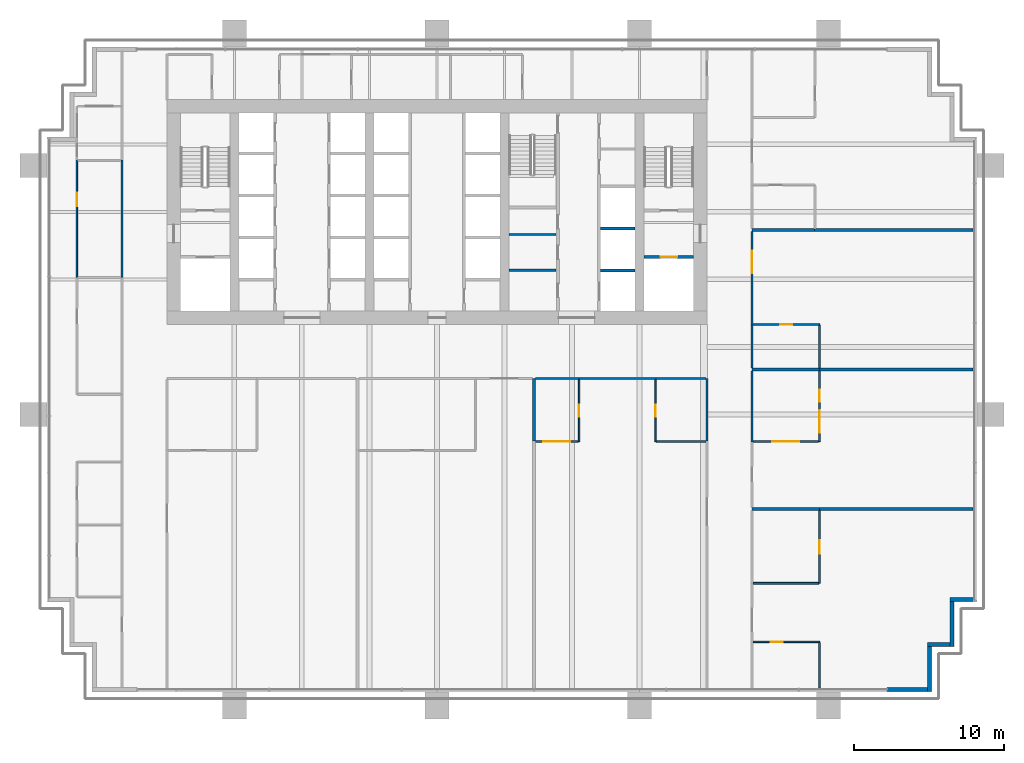
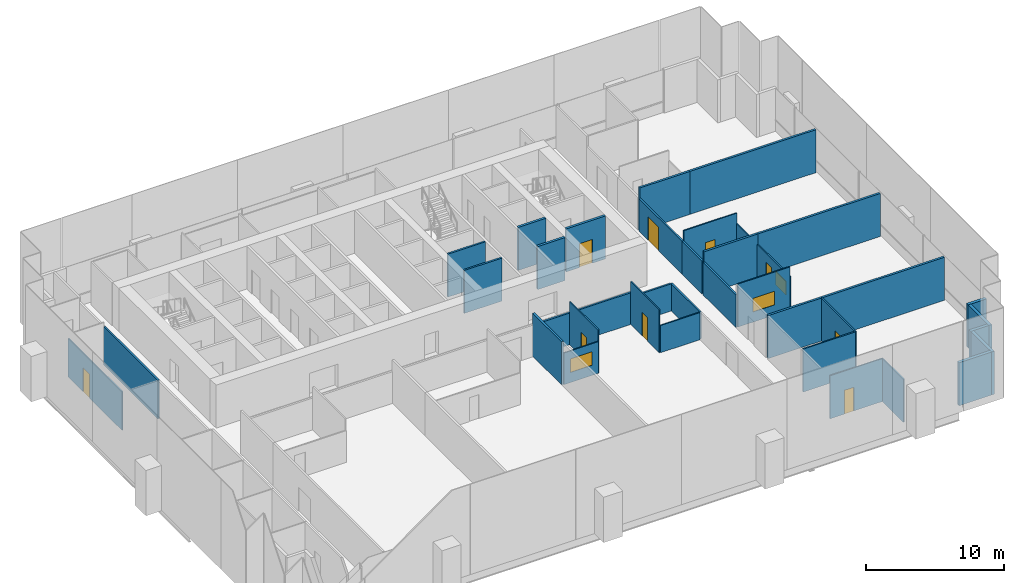
# One storey, part 13 of 19: 38 walls, 9 doors, 3 windows, 12 openings.
"""IFC4 building model written with IfcOpenShell, lengths in metres."""

import ifcopenshell
import ifcopenshell.guid

model = None  # the IFC model being written
_history = None  # IfcOwnerHistory: only IFC2X3 demands one
_inside = {}  # id of a spatial element -> (the spatial element, [elements in it])
_under = {}  # id of a project, library or spatial element -> (it, [spatial elements below it])
_declared = {}  # id of a project -> (the project, [libraries it declares])
_typed = {}  # id of a type object -> (the type object, [elements of that type])
_made_of = {}  # id of a material, layer set ... -> (it, [elements and type objects made of it])


def new_model(schema):
    """Start an empty IFC model of exactly this schema.

    Asked for "IFC4X3", IfcOpenShell would pick the latest addendum, in which some entities
    have other attributes; the version numbers below select the first issue.
    IFC2X3 requires an IfcOwnerHistory on every rooted entity: one is made here for all.
    """
    global model, _history
    if schema == "IFC4X3":
        model = ifcopenshell.file(schema_version=(4, 3, 0, 0))
    else:
        model = ifcopenshell.file(schema=schema)
    _inside.clear()
    _under.clear()
    _declared.clear()
    _typed.clear()
    _made_of.clear()
    _history = None
    if model.schema == "IFC2X3":
        org = make("IfcOrganization", Name="unknown")
        user = make(
            "IfcPersonAndOrganization",
            ThePerson=make("IfcPerson", FamilyName="unknown"),
            TheOrganization=org,
        )
        app = make(
            "IfcApplication",
            ApplicationDeveloper=org,
            Version="unknown",
            ApplicationFullName="unknown",
            ApplicationIdentifier="unknown",
        )
        _history = make(
            "IfcOwnerHistory",
            OwningUser=user,
            OwningApplication=app,
            ChangeAction="ADDED",
            CreationDate=0,
        )
    return model


def make(cls, **values):
    """One entity of the class cls with the attributes given. An attribute that is None is left unset."""
    return model.create_entity(
        cls, **{name: value for name, value in values.items() if value is not None}
    )


def rooted(cls, **values):
    """An entity with a GlobalId (a new one), such as an element, a storey or a relation."""
    return make(cls, GlobalId=ifcopenshell.guid.new(), OwnerHistory=_history, **values)


def si_unit(unit_type, name, prefix=None):
    """IfcSIUnit, for example si_unit("LENGTHUNIT", "METRE", prefix="MILLI")."""
    return make("IfcSIUnit", UnitType=unit_type, Prefix=prefix, Name=name)


def assignment(units):
    """IfcUnitAssignment: the units of a project."""
    return None if units is None else make("IfcUnitAssignment", Units=units)


def point(xyz):
    """IfcCartesianPoint."""
    return None if xyz is None else make("IfcCartesianPoint", Coordinates=xyz)


def direction(xyz):
    """IfcDirection."""
    return None if xyz is None else make("IfcDirection", DirectionRatios=xyz)


def frame(location, z_axis=None, x_axis=None):
    """IfcAxis2Placement3D, a coordinate frame: its origin and axes. An axis left out is left unset."""
    return make(
        "IfcAxis2Placement3D",
        Location=point(location),
        Axis=direction(z_axis),
        RefDirection=direction(x_axis),
    )


def frame_2d(location, x_axis=None):
    """IfcAxis2Placement2D, a coordinate frame in the plane: its origin and x axis."""
    return make(
        "IfcAxis2Placement2D", Location=point(location), RefDirection=direction(x_axis)
    )


def origin():
    """The frame at (0, 0, 0) with its axes left unset."""
    return frame((0.0, 0.0, 0.0))


def place(relative_to, where):
    """IfcLocalPlacement: puts the frame where relative to a parent placement (None: the world)."""
    return make(
        "IfcLocalPlacement", PlacementRelTo=relative_to, RelativePlacement=where
    )


def context(
    kind, dimensions, precision=None, world=None, true_north=None, identifier=None
):
    """IfcGeometricRepresentationContext, for example the 3D "Model" context."""
    return make(
        "IfcGeometricRepresentationContext",
        ContextIdentifier=identifier,
        ContextType=kind,
        CoordinateSpaceDimension=dimensions,
        Precision=precision,
        WorldCoordinateSystem=world,
        TrueNorth=true_north,
    )


def subcontext(parent, identifier, kind, view, scale=None):
    """IfcGeometricRepresentationSubContext, for example "Body" below "Model"."""
    return make(
        "IfcGeometricRepresentationSubContext",
        ContextIdentifier=identifier,
        ContextType=kind,
        ParentContext=parent,
        TargetScale=scale,
        TargetView=view,
    )


def project(units=None, contexts=None):
    """IfcProject with its units and contexts."""
    return rooted(
        "IfcProject",
        Name="project",
        RepresentationContexts=contexts,
        UnitsInContext=assignment(units),
    )


def spatial(cls, under=None, at=None, **own):
    """A site, building, storey or space (cls), placed at a placement, below another one or the project."""
    s = rooted(cls, ObjectPlacement=at, **own)
    if under is not None:
        _under.setdefault(under.id(), (under, []))[1].append(s)
    return s


def profile(cls, at=None, kind="AREA", **sizes):
    """A parametric profile (cls). Its sizes go by their IFC names, for example OverallWidth=200.0."""
    return make(cls, ProfileType=kind, Position=at, **sizes)


def rectangle(**sizes):
    """IfcRectangleProfileDef."""
    return profile("IfcRectangleProfileDef", **sizes)


def extrude(swept, where, along, depth):
    """IfcExtrudedAreaSolid: the profile swept, set in the frame where, extruded along a direction by depth."""
    return make(
        "IfcExtrudedAreaSolid",
        SweptArea=swept,
        Position=where,
        ExtrudedDirection=direction(along),
        Depth=depth,
    )


def shape(context_of_items, identifier, shape_type, items):
    """IfcShapeRepresentation: the items that make up one representation, for example the "Body"."""
    return make(
        "IfcShapeRepresentation",
        ContextOfItems=context_of_items,
        RepresentationIdentifier=identifier,
        RepresentationType=shape_type,
        Items=items,
    )


def material(Name=None, Category=None):
    """IfcMaterial."""
    return make("IfcMaterial", Name=Name, Category=Category)


def layer(
    of_material, thickness, ventilated=None, Name=None, Category=None, Priority=None
):
    """IfcMaterialLayer: one layer of a wall or slab, of a material (None: an air gap)."""
    return make(
        "IfcMaterialLayer",
        Material=of_material,
        LayerThickness=thickness,
        IsVentilated=ventilated,
        Name=Name,
        Category=Category,
        Priority=Priority,
    )


def layer_set(layers, Name=None):
    """IfcMaterialLayerSet."""
    return make("IfcMaterialLayerSet", MaterialLayers=layers, LayerSetName=Name)


def made_of(thing, what):
    """Note that an element or type object is made of a material, layer set ...; save() writes the relation."""
    if what is not None:
        _made_of.setdefault(what.id(), (what, []))[1].append(thing)
    return thing


def type_object(cls, material=None, **own):
    """A type object (cls), such as IfcWallType, which elements share."""
    return made_of(rooted(cls, **own), material)


def element(
    cls,
    number,
    at=None,
    inside=None,
    cuts=None,
    type_object=None,
    material=None,
    context=None,
    identifier="Body",
    shape_type=None,
    held_by="IfcProductDefinitionShape",
    body=None,
    shapes=None,
    **own,
):
    """One element of the class cls, such as IfcWall. Its Tag is "e" and its number.

    at: its placement. inside: the storey or other place that contains it. cuts: it is an
    opening in that element (IfcRelVoidsElement). A single representation is given by context,
    identifier, shape_type and body (its items); several are given by shapes. held_by: the class
    of the entity that holds the representations. save() writes the other relations.
    """
    e = rooted(cls, Tag="e%d" % number, ObjectPlacement=at, **own)
    if body is not None:
        shapes = [shape(context, identifier, shape_type, body)]
    if shapes is not None:
        e.Representation = make(held_by, Representations=shapes)
    if inside is not None:
        _inside.setdefault(inside.id(), (inside, []))[1].append(e)
    if cuts is not None:
        rooted(
            "IfcRelVoidsElement", RelatingBuildingElement=cuts, RelatedOpeningElement=e
        )
    if type_object is not None:
        _typed.setdefault(type_object.id(), (type_object, []))[1].append(e)
    return made_of(e, material)


def fill(opening, filler):
    """IfcRelFillsElement: the door or window that sits in an opening."""
    return rooted(
        "IfcRelFillsElement",
        RelatingOpeningElement=opening,
        RelatedBuildingElement=filler,
    )


def aggregate(whole, parts):
    """IfcRelAggregates: a whole, such as a stair, and the parts it consists of."""
    return rooted("IfcRelAggregates", RelatingObject=whole, RelatedObjects=parts)


def save(model, path):
    """Write the relations noted so far, then the file.

    IfcRelAggregates (storeys below a building ...), IfcRelContainedInSpatialStructure (elements
    in a storey), IfcRelDefinesByType, IfcRelAssociatesMaterial and IfcRelDeclares: one each for
    every whole, place, type object, material and project.
    """
    for whole, parts in _under.values():
        aggregate(whole, parts)
    for where, things in _inside.values():
        rooted(
            "IfcRelContainedInSpatialStructure",
            RelatedElements=things,
            RelatingStructure=where,
        )
    for kind, things in _typed.values():
        rooted("IfcRelDefinesByType", RelatedObjects=things, RelatingType=kind)
    for what, things in _made_of.values():
        rooted("IfcRelAssociatesMaterial", RelatedObjects=things, RelatingMaterial=what)
    for by, libraries in _declared.values():
        rooted("IfcRelDeclares", RelatingContext=by, RelatedDefinitions=libraries)
    model.write(path)


model = new_model("IFC4")

# Units and contexts
model_context = context("Model", 3, precision=1e-05, world=origin(), true_north=direction((0.0, 1.0)))
body_context = subcontext(model_context, "Body", "Model", "MODEL_VIEW")
ifc_project = project(units=[si_unit("LENGTHUNIT", "METRE"), si_unit("AREAUNIT", "SQUARE_METRE"), si_unit("VOLUMEUNIT", "CUBIC_METRE"), si_unit("PLANEANGLEUNIT", "RADIAN"), si_unit("MASSUNIT", "GRAM", prefix="KILO")], contexts=[model_context])

# Site, building, storey
site_placement = place(None, origin())
site = spatial("IfcSite", under=ifc_project, at=site_placement, CompositionType="ELEMENT")
building_placement = place(site_placement, origin())
building = spatial("IfcBuilding", under=site, at=building_placement, Name="Rattan Terrace Tower", CompositionType="ELEMENT")
storey_placement = place(building_placement, frame((0.0, 0.0, 103.699951171875)))
storey = spatial("IfcBuildingStorey", under=building, at=storey_placement, Name="L23", CompositionType="ELEMENT", Elevation=103.699951171875)

# Walls
ifc_material_1 = material(Name="Gypsum board partition")
ifc_layer_1 = layer(ifc_material_1, 0.14990234375)
ifc_layer_set_1 = layer_set([ifc_layer_1], Name="Core partition 150")
wall_type_1 = type_object("IfcWallType", Name="Core partition 150", PredefinedType="PARTITIONING", material=ifc_layer_set_1)
for number, where, z_axis, x_axis, name in (
    (1, (4.800048828125, -3.8798828125, 0.0), (0.0, 0.0, 1.0), (1.0, 0.0, 0.0), "Toilet wall"),
    (2, (4.800048828125, -1.5, 0.0), (0.0, 0.0, 1.0), (1.0, 0.0, 0.0), "Toilet wall"),
):
    element("IfcWall", number, at=place(storey_placement, frame(where, z_axis=z_axis, x_axis=x_axis)), inside=storey, type_object=wall_type_1, Name=name, PredefinedType="PARTITIONING", context=body_context, shape_type="SweptSolid", body=[
        extrude(rectangle(XDim=3.14990234375, YDim=0.14990234375, at=frame_2d((1.574951171875, 0.0))), origin(), (0.0, 0.0, 1.0), 3.800048828125),
    ])

# Wall, opening, door
ifc_material_2 = material(Name="Gypsum board partition")
ifc_layer_2 = layer(ifc_material_2, 0.199951171875)
ifc_layer_set_2 = layer_set([ifc_layer_2], Name="Core partition 200")
wall_type_2 = type_object("IfcWallType", Name="Core partition 200", PredefinedType="PARTITIONING", material=ifc_layer_set_2)
wall_1_placement = place(storey_placement, frame((13.800048828125, -3.0, 0.0), z_axis=(0.0, 0.0, 1.0), x_axis=(1.0, 0.0, 0.0)))
wall_1 = element("IfcWall", 3, at=wall_1_placement, inside=storey, type_object=wall_type_2, Name="Fire-fighting lobby wall", PredefinedType="PARTITIONING", context=body_context, shape_type="SweptSolid", body=[
    extrude(rectangle(XDim=3.300048828125, YDim=0.199951171875, at=frame_2d((1.64990234375, 0.0))), origin(), (0.0, 0.0, 1.0), 3.800048828125),
])
opening_1_placement = place(wall_1_placement, frame((1.10009765625, 0.0, 0.0)))
opening_1 = element("IfcOpeningElement", 4, at=opening_1_placement, cuts=wall_1, Name="Opening L23-LD-FF2", PredefinedType="OPENING", context=body_context, shape_type="SweptSolid", body=[
    extrude(rectangle(XDim=1.10009765625, YDim=2.10009765625, at=frame_2d((0.550048828125, 1.050048828125))), frame((0.0, 0.110595703125, 0.0), z_axis=(0.0, -1.0, 0.0), x_axis=(1.0, 0.0, 0.0)), (0.0, 0.0, 1.0), 0.220947265625),
])
ifc_material_3 = material(Name="Brushed stainless landing door panel")
door_type_1 = type_object("IfcDoorType", Name="Core lift landing door 1100", OperationType="DOUBLE_DOOR_SLIDING", PredefinedType="DOOR", material=ifc_material_3)
door_1_placement = place(opening_1_placement, origin())
door_1 = element("IfcDoor", 5, at=door_1_placement, inside=storey, type_object=door_type_1, Name="Door L23-LD-FF2", OperationType="DOUBLE_DOOR_SLIDING", OverallHeight=2.10009765625, OverallWidth=1.10009765625, PredefinedType="DOOR", context=body_context, shape_type="SweptSolid", body=[
    extrude(rectangle(XDim=1.10009765625, YDim=2.10009765625, at=frame_2d((0.550048828125, 1.050048828125))), frame((0.0, 0.02490234375, 0.0), z_axis=(0.0, -1.0, 0.0), x_axis=(1.0, 0.0, 0.0)), (0.0, 0.0, 1.0), 0.050048828125),
])
fill(opening_1, door_1)

# Walls
ifc_material_4 = material(Name="Insulated aluminium-clad stud wall", Category="aluminium")
ifc_layer_3 = layer(ifc_material_4, 0.25)
ifc_layer_set_3 = layer_set([ifc_layer_3], Name="Facade Riser Wall 250")
wall_type_3 = type_object("IfcWallType", Name="Facade Riser Wall 250", PredefinedType="SOLIDWALL", material=ifc_layer_set_3)
wall_2_placement = place(storey_placement, frame((30.0, -31.830078125, 0.0), z_axis=(0.0, 0.0, 1.0), x_axis=(1.0, 0.0, 0.0)))
element("IfcWall", 6, at=wall_2_placement, inside=storey, type_object=wall_type_3, Name="Riser wall L23-1", PredefinedType="SOLIDWALL", context=body_context, shape_type="SweptSolid", body=[
    extrude(rectangle(XDim=2.705078125, YDim=0.25, at=frame_2d((1.3525390625, 0.0))), origin(), (0.0, 0.0, 1.0), 3.800048828125),
])
wall_3_placement = place(storey_placement, frame((32.830078125, -31.955078125, 0.0), z_axis=(0.0, 0.0, 1.0), x_axis=(0.0, 1.0, 0.0)))
element("IfcWall", 7, at=wall_3_placement, inside=storey, type_object=wall_type_3, Name="Riser wall L23-2", PredefinedType="SOLIDWALL", context=body_context, shape_type="SweptSolid", body=[
    extrude(rectangle(XDim=3.0, YDim=0.25, at=frame_2d((1.5, 0.0))), origin(), (0.0, 0.0, 1.0), 3.800048828125),
])
wall_4_placement = place(storey_placement, frame((32.705078125, -28.830078125, 0.0), z_axis=(0.0, 0.0, 1.0), x_axis=(1.0, 0.0, 0.0)))
element("IfcWall", 8, at=wall_4_placement, inside=storey, type_object=wall_type_3, Name="Riser wall L23-3", PredefinedType="SOLIDWALL", context=body_context, shape_type="SweptSolid", body=[
    extrude(rectangle(XDim=1.5, YDim=0.25, at=frame_2d((0.75, 0.0))), origin(), (0.0, 0.0, 1.0), 3.800048828125),
])
wall_5_placement = place(storey_placement, frame((34.330078125, -28.955078125, 0.0), z_axis=(0.0, 0.0, 1.0), x_axis=(0.0, 1.0, 0.0)))
element("IfcWall", 9, at=wall_5_placement, inside=storey, type_object=wall_type_3, Name="Riser wall L23-4", PredefinedType="SOLIDWALL", context=body_context, shape_type="SweptSolid", body=[
    extrude(rectangle(XDim=3.0, YDim=0.25, at=frame_2d((1.5, 0.0))), origin(), (0.0, 0.0, 1.0), 3.800048828125),
])
wall_6_placement = place(storey_placement, frame((34.205078125, -25.830078125, 0.0), z_axis=(0.0, 0.0, 1.0), x_axis=(1.0, 0.0, 0.0)))
element("IfcWall", 10, at=wall_6_placement, inside=storey, type_object=wall_type_3, Name="Riser wall L23-5", PredefinedType="SOLIDWALL", context=body_context, shape_type="SweptSolid", body=[
    extrude(rectangle(XDim=1.544921875, YDim=0.25, at=frame_2d((0.7724609375, 0.0))), origin(), (0.0, 0.0, 1.0), 3.800048828125),
])
ifc_material_5 = material(Name="Double steel stud acoustic partition, gypsum board, mineral wool, fire rated", Category="steel")
ifc_layer_4 = layer(ifc_material_5, 0.179931640625)
ifc_layer_set_4 = layer_set([ifc_layer_4], Name="Floors Acoustic Party Wall 180")
wall_type_4 = type_object("IfcWallType", Name="Floors Acoustic Party Wall 180", PredefinedType="PARTITIONING", material=ifc_layer_set_4)
wall_7_placement = place(storey_placement, frame((25.5, -19.800048828125, 0.0), z_axis=(0.0, 0.0, 1.0), x_axis=(1.0, 0.0, 0.0)))
element("IfcWall", 11, at=wall_7_placement, inside=storey, type_object=wall_type_4, Name="pt-L23-048", PredefinedType="PARTITIONING", context=body_context, shape_type="SweptSolid", body=[
    extrude(rectangle(XDim=10.239990234375, YDim=0.179931640625, at=frame_2d((5.1201171875, 0.0))), origin(), (0.0, 0.0, 1.0), 3.800048828125),
])
wall_8_placement = place(storey_placement, frame((21.0, -19.800048828125, 0.0), z_axis=(0.0, 0.0, 1.0), x_axis=(1.0, 0.0, 0.0)))
element("IfcWall", 12, at=wall_8_placement, inside=storey, type_object=wall_type_4, Name="pt-L23-049", PredefinedType="PARTITIONING", context=body_context, shape_type="SweptSolid", body=[
    extrude(rectangle(XDim=4.5, YDim=0.179931640625, at=frame_2d((2.25, 0.0))), origin(), (0.0, 0.0, 1.0), 3.800048828125),
])
wall_9_placement = place(storey_placement, frame((25.5, -10.5, 0.0), z_axis=(0.0, 0.0, 1.0), x_axis=(1.0, 0.0, 0.0)))
element("IfcWall", 13, at=wall_9_placement, inside=storey, type_object=wall_type_4, Name="pt-L23-052", PredefinedType="PARTITIONING", context=body_context, shape_type="SweptSolid", body=[
    extrude(rectangle(XDim=10.239990234375, YDim=0.179931640625, at=frame_2d((5.1201171875, 0.0))), origin(), (0.0, 0.0, 1.0), 3.800048828125),
])
wall_10_placement = place(storey_placement, frame((21.0, -10.5, 0.0), z_axis=(0.0, 0.0, 1.0), x_axis=(1.0, 0.0, 0.0)))
element("IfcWall", 14, at=wall_10_placement, inside=storey, type_object=wall_type_4, Name="pt-L23-053", PredefinedType="PARTITIONING", context=body_context, shape_type="SweptSolid", body=[
    extrude(rectangle(XDim=4.5, YDim=0.179931640625, at=frame_2d((2.25, 0.0))), origin(), (0.0, 0.0, 1.0), 3.800048828125),
])
wall_11_placement = place(storey_placement, frame((25.179931640625, -1.199951171875, 0.0), z_axis=(0.0, 0.0, 1.0), x_axis=(1.0, 0.0, 0.0)))
element("IfcWall", 15, at=wall_11_placement, inside=storey, type_object=wall_type_4, Name="pt-L23-056", PredefinedType="PARTITIONING", context=body_context, shape_type="SweptSolid", body=[
    extrude(rectangle(XDim=10.56005859375, YDim=0.179931640625, at=frame_2d((5.280029296875, 0.0))), origin(), (0.0, 0.0, 1.0), 3.800048828125),
])
for number, where, z_axis, x_axis, name in (
    (16, (21.0, -1.199951171875, 0.0), (0.0, 0.0, 1.0), (1.0, 0.0, 0.0), "pt-L23-057"),
    (17, (6.470947265625, -11.10009765625, 0.0), (0.0, 0.0, 1.0), (0.0, -1.0, 0.0), "pt-L23-078"),
):
    element("IfcWall", number, at=place(storey_placement, frame(where, z_axis=z_axis, x_axis=x_axis)), inside=storey, type_object=wall_type_4, Name=name, PredefinedType="PARTITIONING", context=body_context, shape_type="SweptSolid", body=[
        extrude(rectangle(XDim=4.179931640625, YDim=0.179931640625, at=frame_2d((2.08984375, 0.0))), origin(), (0.0, 0.0, 1.0), 3.800048828125),
    ])

# Wall, opening, door
ifc_material_6 = material(Name="Gypsum board partition on steel studs", Category="steel")
ifc_layer_5 = layer(ifc_material_6, 0.10009765625)
ifc_layer_set_5 = layer_set([ifc_layer_5], Name="Floors Partition 100")
wall_type_5 = type_object("IfcWallType", Name="Floors Partition 100", PredefinedType="PARTITIONING", material=ifc_layer_set_5)
wall_12_placement = place(storey_placement, frame((-24.0, 3.4599609375, 0.0), z_axis=(0.0, 0.0, 1.0), x_axis=(0.0, -1.0, 0.0)))
wall_12 = element("IfcWall", 18, at=wall_12_placement, inside=storey, type_object=wall_type_5, Name="pt-L23-038", PredefinedType="PARTITIONING", context=body_context, shape_type="SweptSolid", body=[
    extrude(rectangle(XDim=7.800048828125, YDim=0.10009765625, at=frame_2d((3.89990234375, 0.0))), origin(), (0.0, 0.0, 1.0), 3.400146484375),
])
opening_2_placement = place(wall_12_placement, frame((2.169921875, 0.0, 0.0)))
opening_2 = element("IfcOpeningElement", 19, at=opening_2_placement, cuts=wall_12, Name="Opening L23-D104", PredefinedType="OPENING", context=body_context, shape_type="SweptSolid", body=[
    extrude(rectangle(XDim=0.89990234375, YDim=2.10009765625, at=frame_2d((0.449951171875, 1.050048828125))), frame((0.0, 0.060546875, 0.0), z_axis=(0.0, -1.0, 0.0), x_axis=(1.0, 0.0, 0.0)), (0.0, 0.0, 1.0), 0.12109375),
])
ifc_material_7 = material(Name="Solid core timber door, painted", Category="wood")
door_type_2 = type_object("IfcDoorType", Name="Floors Door 900x2100", OperationType="NOTDEFINED", PredefinedType="DOOR", material=ifc_material_7)
door_2_placement = place(opening_2_placement, origin())
door_2 = element("IfcDoor", 20, at=door_2_placement, inside=storey, type_object=door_type_2, Name="d-L23-104", OperationType="SINGLE_SWING_LEFT", OverallHeight=2.10009765625, OverallWidth=0.89990234375, PredefinedType="DOOR", context=body_context, shape_type="SweptSolid", body=[
    extrude(rectangle(XDim=0.89990234375, YDim=2.10009765625, at=frame_2d((0.449951171875, 1.050048828125))), frame((0.0, 0.02490234375, 0.0), z_axis=(0.0, -1.0, 0.0), x_axis=(1.0, 0.0, 0.0)), (0.0, 0.0, 1.0), 0.050048828125),
])
fill(opening_2, door_2)

wall_13_placement = place(storey_placement, frame((25.5, -28.659912109375, 0.0), z_axis=(0.0, 0.0, 1.0), x_axis=(-1.0, 0.0, 0.0)))
wall_13 = element("IfcWall", 21, at=wall_13_placement, inside=storey, type_object=wall_type_5, Name="pt-L23-044", PredefinedType="PARTITIONING", context=body_context, shape_type="SweptSolid", body=[
    extrude(rectangle(XDim=4.425048828125, YDim=0.10009765625, at=frame_2d((2.21240234375, 0.0))), origin(), (0.0, 0.0, 1.0), 3.800048828125),
])
opening_3_placement = place(wall_13_placement, frame((2.43798828125, 0.0, 0.0)))
opening_3 = element("IfcOpeningElement", 22, at=opening_3_placement, cuts=wall_13, Name="Opening L23-D107", PredefinedType="OPENING", context=body_context, shape_type="SweptSolid", body=[
    extrude(rectangle(XDim=0.800048828125, YDim=2.10009765625, at=frame_2d((0.39990234375, 1.050048828125))), frame((0.0, 0.060546875, 0.0), z_axis=(0.0, -1.0, 0.0), x_axis=(1.0, 0.0, 0.0)), (0.0, 0.0, 1.0), 0.12109375),
])
ifc_material_8 = material(Name="Solid core timber door, painted", Category="wood")
door_type_3 = type_object("IfcDoorType", Name="Floors Store Door 800x2100", OperationType="NOTDEFINED", PredefinedType="DOOR", material=ifc_material_8)
door_3_placement = place(opening_3_placement, origin())
door_3 = element("IfcDoor", 23, at=door_3_placement, inside=storey, type_object=door_type_3, Name="d-L23-107", OperationType="SINGLE_SWING_RIGHT", OverallHeight=2.10009765625, OverallWidth=0.800048828125, PredefinedType="DOOR", context=body_context, shape_type="SweptSolid", body=[
    extrude(rectangle(XDim=0.800048828125, YDim=2.10009765625, at=frame_2d((0.39990234375, 1.050048828125))), frame((0.0, 0.02490234375, 0.0), z_axis=(0.0, -1.0, 0.0), x_axis=(1.0, 0.0, 0.0)), (0.0, 0.0, 1.0), 0.050048828125),
])
fill(opening_3, door_3)

# Wall
wall_14_placement = place(storey_placement, frame((25.5, -31.739990234375, 0.0), z_axis=(0.0, 0.0, 1.0), x_axis=(0.0, 1.0, 0.0)))
element("IfcWall", 24, at=wall_14_placement, inside=storey, type_object=wall_type_5, Name="pt-L23-045", PredefinedType="PARTITIONING", context=body_context, shape_type="SweptSolid", body=[
    extrude(rectangle(XDim=3.030029296875, YDim=0.10009765625, at=frame_2d((1.51513671875, 0.0))), origin(), (0.0, 0.0, 1.0), 3.800048828125),
])

# Wall, opening, window
wall_15_placement = place(storey_placement, frame((21.074951171875, -15.300048828125, 0.0), z_axis=(0.0, 0.0, 1.0), x_axis=(1.0, 0.0, 0.0)))
wall_15 = element("IfcWall", 25, at=wall_15_placement, inside=storey, type_object=wall_type_5, Name="pt-L23-050", PredefinedType="PARTITIONING", context=body_context, shape_type="SweptSolid", body=[
    extrude(rectangle(XDim=4.375, YDim=0.10009765625, at=frame_2d((2.1875, 0.0))), origin(), (0.0, 0.0, 1.0), 3.800048828125),
])
opening_4_placement = place(wall_15_placement, frame((1.2880859375, 0.0, 0.89990234375)))
opening_4 = element("IfcOpeningElement", 26, at=opening_4_placement, cuts=wall_15, Name="Opening L23-W102", PredefinedType="OPENING", context=body_context, shape_type="SweptSolid", body=[
    extrude(rectangle(XDim=1.800048828125, YDim=1.199951171875, at=frame_2d((0.89990234375, 0.60009765625))), frame((0.0, 0.060546875, 0.0), z_axis=(0.0, -1.0, 0.0), x_axis=(1.0, 0.0, 0.0)), (0.0, 0.0, 1.0), 0.12109375),
])
ifc_material_9 = material(Name="Glass, clear, fixed in aluminium frame", Category="aluminium")
window_type_1 = type_object("IfcWindowType", Name="Interior Vision Window 1800x1200", PartitioningType="SINGLE_PANEL", PredefinedType="WINDOW", material=ifc_material_9)
window_1_placement = place(opening_4_placement, origin())
window_1 = element("IfcWindow", 27, at=window_1_placement, inside=storey, type_object=window_type_1, Name="w-L23-102", OverallHeight=1.199951171875, OverallWidth=1.800048828125, PartitioningType="SINGLE_PANEL", PredefinedType="WINDOW", context=body_context, shape_type="SweptSolid", body=[
    extrude(rectangle(XDim=1.800048828125, YDim=1.199951171875, at=frame_2d((0.89990234375, 0.60009765625))), frame((0.0, 0.030029296875, 0.0), z_axis=(0.0, -1.0, 0.0), x_axis=(1.0, 0.0, 0.0)), (0.0, 0.0, 1.0), 0.06005859375),
])
fill(opening_4, window_1)

# Wall, openings, door, window
wall_16_placement = place(storey_placement, frame((25.5, -15.300048828125, 0.0), z_axis=(0.0, 0.0, 1.0), x_axis=(0.0, 1.0, 0.0)))
wall_16 = element("IfcWall", 28, at=wall_16_placement, inside=storey, type_object=wall_type_5, Name="pt-L23-051", PredefinedType="PARTITIONING", context=body_context, shape_type="SweptSolid", body=[
    extrude(rectangle(XDim=4.7099609375, YDim=0.10009765625, at=frame_2d((2.35498046875, 0.0))), origin(), (0.0, 0.0, 1.0), 2.900146484375),
])
opening_5_placement = place(wall_16_placement, frame((2.636962890625, 0.0, 0.0)))
opening_5 = element("IfcOpeningElement", 29, at=opening_5_placement, cuts=wall_16, Name="Opening L23-D110", PredefinedType="OPENING", context=body_context, shape_type="SweptSolid", body=[
    extrude(rectangle(XDim=0.800048828125, YDim=2.10009765625, at=frame_2d((0.39990234375, 1.050048828125))), frame((0.0, 0.060546875, 0.0), z_axis=(0.0, -1.0, 0.0), x_axis=(1.0, 0.0, 0.0)), (0.0, 0.0, 1.0), 0.12109375),
])
opening_6_placement = place(wall_16_placement, frame((0.593017578125, 0.0, 0.89990234375)))
opening_6 = element("IfcOpeningElement", 30, at=opening_6_placement, cuts=wall_16, Name="Opening L23-W103", PredefinedType="OPENING", context=body_context, shape_type="SweptSolid", body=[
    extrude(rectangle(XDim=1.5, YDim=1.199951171875, at=frame_2d((0.75, 0.60009765625))), frame((0.0, 0.060546875, 0.0), z_axis=(0.0, -1.0, 0.0), x_axis=(1.0, 0.0, 0.0)), (0.0, 0.0, 1.0), 0.12109375),
])
door_4_placement = place(opening_5_placement, origin())
door_4 = element("IfcDoor", 31, at=door_4_placement, inside=storey, type_object=door_type_3, Name="d-L23-110", OperationType="SINGLE_SWING_RIGHT", OverallHeight=2.10009765625, OverallWidth=0.800048828125, PredefinedType="DOOR", context=body_context, shape_type="SweptSolid", body=[
    extrude(rectangle(XDim=0.800048828125, YDim=2.10009765625, at=frame_2d((0.39990234375, 1.050048828125))), frame((0.0, 0.02490234375, 0.0), z_axis=(0.0, -1.0, 0.0), x_axis=(1.0, 0.0, 0.0)), (0.0, 0.0, 1.0), 0.050048828125),
])
fill(opening_5, door_4)
ifc_material_10 = material(Name="Glass, clear, fixed in aluminium frame", Category="aluminium")
window_type_2 = type_object("IfcWindowType", Name="Interior Vision Window 1500x1200", PartitioningType="SINGLE_PANEL", PredefinedType="WINDOW", material=ifc_material_10)
window_2_placement = place(opening_6_placement, origin())
window_2 = element("IfcWindow", 32, at=window_2_placement, inside=storey, type_object=window_type_2, Name="w-L23-103", OverallHeight=1.199951171875, OverallWidth=1.5, PartitioningType="SINGLE_PANEL", PredefinedType="WINDOW", context=body_context, shape_type="SweptSolid", body=[
    extrude(rectangle(XDim=1.5, YDim=1.199951171875, at=frame_2d((0.75, 0.60009765625))), frame((0.0, 0.030029296875, 0.0), z_axis=(0.0, -1.0, 0.0), x_axis=(1.0, 0.0, 0.0)), (0.0, 0.0, 1.0), 0.06005859375),
])
fill(opening_6, window_2)

# Wall, opening, door
wall_17_placement = place(storey_placement, frame((25.5, -7.5, 0.0), z_axis=(0.0, 0.0, 1.0), x_axis=(-1.0, 0.0, 0.0)))
wall_17 = element("IfcWall", 33, at=wall_17_placement, inside=storey, type_object=wall_type_5, Name="pt-L23-054", PredefinedType="PARTITIONING", context=body_context, shape_type="SweptSolid", body=[
    extrude(rectangle(XDim=4.425048828125, YDim=0.10009765625, at=frame_2d((2.21240234375, 0.0))), origin(), (0.0, 0.0, 1.0), 3.800048828125),
])
opening_7_placement = place(wall_17_placement, frame((1.81298828125, 0.0, 0.0)))
opening_7 = element("IfcOpeningElement", 34, at=opening_7_placement, cuts=wall_17, Name="Opening L23-D112", PredefinedType="OPENING", context=body_context, shape_type="SweptSolid", body=[
    extrude(rectangle(XDim=0.800048828125, YDim=2.10009765625, at=frame_2d((0.39990234375, 1.050048828125))), frame((0.0, 0.060546875, 0.0), z_axis=(0.0, -1.0, 0.0), x_axis=(1.0, 0.0, 0.0)), (0.0, 0.0, 1.0), 0.12109375),
])
door_5_placement = place(opening_7_placement, origin())
door_5 = element("IfcDoor", 35, at=door_5_placement, inside=storey, type_object=door_type_3, Name="d-L23-112", OperationType="SINGLE_SWING_LEFT", OverallHeight=2.10009765625, OverallWidth=0.800048828125, PredefinedType="DOOR", context=body_context, shape_type="SweptSolid", body=[
    extrude(rectangle(XDim=0.800048828125, YDim=2.10009765625, at=frame_2d((0.39990234375, 1.050048828125))), frame((0.0, 0.02490234375, 0.0), z_axis=(0.0, -1.0, 0.0), x_axis=(1.0, 0.0, 0.0)), (0.0, 0.0, 1.0), 0.050048828125),
])
fill(opening_7, door_5)

# Wall
wall_18_placement = place(storey_placement, frame((25.5, -10.409912109375, 0.0), z_axis=(0.0, 0.0, 1.0), x_axis=(0.0, 1.0, 0.0)))
element("IfcWall", 36, at=wall_18_placement, inside=storey, type_object=wall_type_5, Name="pt-L23-055", PredefinedType="PARTITIONING", context=body_context, shape_type="SweptSolid", body=[
    extrude(rectangle(XDim=2.85986328125, YDim=0.10009765625, at=frame_2d((1.429931640625, 0.0))), origin(), (0.0, 0.0, 1.0), 2.900146484375),
])

# Wall, opening, window
wall_19_placement = place(storey_placement, frame((6.56103515625, -15.300048828125, 0.0), z_axis=(0.0, 0.0, 1.0), x_axis=(1.0, 0.0, 0.0)))
wall_19 = element("IfcWall", 37, at=wall_19_placement, inside=storey, type_object=wall_type_5, Name="pt-L23-079", PredefinedType="PARTITIONING", context=body_context, shape_type="SweptSolid", body=[
    extrude(rectangle(XDim=2.85986328125, YDim=0.10009765625, at=frame_2d((1.429931640625, 0.0))), origin(), (0.0, 0.0, 1.0), 2.800048828125),
])
opening_8_placement = place(wall_19_placement, frame((0.530029296875, 0.0, 0.89990234375)))
opening_8 = element("IfcOpeningElement", 38, at=opening_8_placement, cuts=wall_19, Name="Opening L23-W105", PredefinedType="OPENING", context=body_context, shape_type="SweptSolid", body=[
    extrude(rectangle(XDim=1.800048828125, YDim=1.199951171875, at=frame_2d((0.89990234375, 0.60009765625))), frame((0.0, 0.060546875, 0.0), z_axis=(0.0, -1.0, 0.0), x_axis=(1.0, 0.0, 0.0)), (0.0, 0.0, 1.0), 0.12109375),
])
window_3_placement = place(opening_8_placement, origin())
window_3 = element("IfcWindow", 39, at=window_3_placement, inside=storey, type_object=window_type_1, Name="w-L23-105", OverallHeight=1.199951171875, OverallWidth=1.800048828125, PartitioningType="SINGLE_PANEL", PredefinedType="WINDOW", context=body_context, shape_type="SweptSolid", body=[
    extrude(rectangle(XDim=1.800048828125, YDim=1.199951171875, at=frame_2d((0.89990234375, 0.60009765625))), frame((0.0, 0.030029296875, 0.0), z_axis=(0.0, -1.0, 0.0), x_axis=(1.0, 0.0, 0.0)), (0.0, 0.0, 1.0), 0.06005859375),
])
fill(opening_8, window_3)

# Wall, opening, door
wall_20_placement = place(storey_placement, frame((9.470947265625, -15.300048828125, 0.0), z_axis=(0.0, 0.0, 1.0), x_axis=(0.0, 1.0, 0.0)))
wall_20 = element("IfcWall", 40, at=wall_20_placement, inside=storey, type_object=wall_type_5, Name="pt-L23-080", PredefinedType="PARTITIONING", context=body_context, shape_type="SweptSolid", body=[
    extrude(rectangle(XDim=4.125, YDim=0.10009765625, at=frame_2d((2.0625, 0.0))), origin(), (0.0, 0.0, 1.0), 3.800048828125),
])
opening_9_placement = place(wall_20_placement, frame((1.6630859375, 0.0, 0.0)))
opening_9 = element("IfcOpeningElement", 41, at=opening_9_placement, cuts=wall_20, Name="Opening L23-D126", PredefinedType="OPENING", context=body_context, shape_type="SweptSolid", body=[
    extrude(rectangle(XDim=0.800048828125, YDim=2.10009765625, at=frame_2d((0.39990234375, 1.050048828125))), frame((0.0, 0.060546875, 0.0), z_axis=(0.0, -1.0, 0.0), x_axis=(1.0, 0.0, 0.0)), (0.0, 0.0, 1.0), 0.12109375),
])
door_6_placement = place(opening_9_placement, origin())
door_6 = element("IfcDoor", 42, at=door_6_placement, inside=storey, type_object=door_type_3, Name="d-L23-126", OperationType="SINGLE_SWING_LEFT", OverallHeight=2.10009765625, OverallWidth=0.800048828125, PredefinedType="DOOR", context=body_context, shape_type="SweptSolid", body=[
    extrude(rectangle(XDim=0.800048828125, YDim=2.10009765625, at=frame_2d((0.39990234375, 1.050048828125))), frame((0.0, 0.02490234375, 0.0), z_axis=(0.0, -1.0, 0.0), x_axis=(1.0, 0.0, 0.0)), (0.0, 0.0, 1.0), 0.050048828125),
])
fill(opening_9, door_6)

wall_21_placement = place(storey_placement, frame((14.571044921875, -11.175048828125, 0.0), z_axis=(0.0, 0.0, 1.0), x_axis=(0.0, -1.0, 0.0)))
wall_21 = element("IfcWall", 43, at=wall_21_placement, inside=storey, type_object=wall_type_5, Name="pt-L23-081", PredefinedType="PARTITIONING", context=body_context, shape_type="SweptSolid", body=[
    extrude(rectangle(XDim=4.125, YDim=0.10009765625, at=frame_2d((2.0625, 0.0))), origin(), (0.0, 0.0, 1.0), 3.800048828125),
])
opening_10_placement = place(wall_21_placement, frame((1.6630859375, 0.0, 0.0)))
opening_10 = element("IfcOpeningElement", 44, at=opening_10_placement, cuts=wall_21, Name="Opening L23-D127", PredefinedType="OPENING", context=body_context, shape_type="SweptSolid", body=[
    extrude(rectangle(XDim=0.800048828125, YDim=2.10009765625, at=frame_2d((0.39990234375, 1.050048828125))), frame((0.0, 0.060546875, 0.0), z_axis=(0.0, -1.0, 0.0), x_axis=(1.0, 0.0, 0.0)), (0.0, 0.0, 1.0), 0.12109375),
])
door_7_placement = place(opening_10_placement, origin())
door_7 = element("IfcDoor", 45, at=door_7_placement, inside=storey, type_object=door_type_3, Name="d-L23-127", OperationType="SINGLE_SWING_RIGHT", OverallHeight=2.10009765625, OverallWidth=0.800048828125, PredefinedType="DOOR", context=body_context, shape_type="SweptSolid", body=[
    extrude(rectangle(XDim=0.800048828125, YDim=2.10009765625, at=frame_2d((0.39990234375, 1.050048828125))), frame((0.0, 0.02490234375, 0.0), z_axis=(0.0, -1.0, 0.0), x_axis=(1.0, 0.0, 0.0)), (0.0, 0.0, 1.0), 0.050048828125),
])
fill(opening_10, door_7)

# Walls
wall_22_placement = place(storey_placement, frame((14.62109375, -15.300048828125, 0.0), z_axis=(0.0, 0.0, 1.0), x_axis=(1.0, 0.0, 0.0)))
element("IfcWall", 46, at=wall_22_placement, inside=storey, type_object=wall_type_5, Name="pt-L23-082", PredefinedType="PARTITIONING", context=body_context, shape_type="SweptSolid", body=[
    extrude(rectangle(XDim=3.303955078125, YDim=0.10009765625, at=frame_2d((1.65185546875, 0.0))), origin(), (0.0, 0.0, 1.0), 2.400146484375),
])
ifc_material_11 = material(Name="Gypsum board partition on steel studs, fire rated", Category="steel")
ifc_layer_6 = layer(ifc_material_11, 0.14990234375)
ifc_layer_set_6 = layer_set([ifc_layer_6], Name="Floors Tenancy Wall 150")
wall_type_6 = type_object("IfcWallType", Name="Floors Tenancy Wall 150", PredefinedType="PARTITIONING", material=ifc_layer_set_6)
wall_23_placement = place(storey_placement, frame((-21.0, -4.3798828125, 0.0), z_axis=(0.0, 0.0, 1.0), x_axis=(0.0, 1.0, 0.0)))
element("IfcWall", 47, at=wall_23_placement, inside=storey, type_object=wall_type_6, Name="pt-L23-007", PredefinedType="PARTITIONING", context=body_context, shape_type="SweptSolid", body=[
    extrude(rectangle(XDim=7.83984375, YDim=0.14990234375, at=frame_2d((3.919921875, 0.0))), origin(), (0.0, 0.0, 1.0), 3.400146484375),
])
wall_24_placement = place(storey_placement, frame((21.0, -10.590087890625, 0.0), z_axis=(0.0, 0.0, 1.0), x_axis=(0.0, -1.0, 0.0)))
element("IfcWall", 48, at=wall_24_placement, inside=storey, type_object=wall_type_6, Name="pt-L23-013", PredefinedType="PARTITIONING", context=body_context, shape_type="SweptSolid", body=[
    extrude(rectangle(XDim=4.72998046875, YDim=0.14990234375, at=frame_2d((2.364990234375, 0.0))), origin(), (0.0, 0.0, 1.0), 2.900146484375),
])

# Wall, opening, door
wall_25_placement = place(storey_placement, frame((21.0, -1.2900390625, 0.0), z_axis=(0.0, 0.0, 1.0), x_axis=(0.0, -1.0, 0.0)))
wall_25 = element("IfcWall", 49, at=wall_25_placement, inside=storey, type_object=wall_type_6, Name="pt-L23-014", PredefinedType="PARTITIONING", context=body_context, shape_type="SweptSolid", body=[
    extrude(rectangle(XDim=6.22998046875, YDim=0.14990234375, at=frame_2d((3.114990234375, 0.0))), origin(), (0.0, 0.0, 1.0), 2.900146484375),
])
opening_11_placement = place(wall_25_placement, frame((1.306884765625, 0.0, 0.0)))
opening_11 = element("IfcOpeningElement", 50, at=opening_11_placement, cuts=wall_25, Name="Opening L23-D111", PredefinedType="OPENING", context=body_context, shape_type="SweptSolid", body=[
    extrude(rectangle(XDim=1.5, YDim=2.10009765625, at=frame_2d((0.75, 1.050048828125))), frame((0.0, 0.08544921875, 0.0), z_axis=(0.0, -1.0, 0.0), x_axis=(1.0, 0.0, 0.0)), (0.0, 0.0, 1.0), 0.1708984375),
])
ifc_material_12 = material(Name="Steel fire door set", Category="steel")
door_type_4 = type_object("IfcDoorType", Name="Floors Unit Door Pair FD30S 1500x2100", OperationType="NOTDEFINED", PredefinedType="DOOR", material=ifc_material_12)
door_8_placement = place(opening_11_placement, origin())
door_8 = element("IfcDoor", 51, at=door_8_placement, inside=storey, type_object=door_type_4, Name="d-L23-111", OperationType="DOUBLE_DOOR_SINGLE_SWING", OverallHeight=2.10009765625, OverallWidth=1.5, PredefinedType="DOOR", context=body_context, shape_type="SweptSolid", body=[
    extrude(rectangle(XDim=1.5, YDim=2.10009765625, at=frame_2d((0.75, 1.050048828125))), frame((0.0, 0.02490234375, 0.0), z_axis=(0.0, -1.0, 0.0), x_axis=(1.0, 0.0, 0.0)), (0.0, 0.0, 1.0), 0.050048828125),
])
fill(opening_11, door_8)

# Walls
wall_26_placement = place(storey_placement, frame((21.0, -7.52001953125, 0.0), z_axis=(0.0, 0.0, 1.0), x_axis=(0.0, -1.0, 0.0)))
element("IfcWall", 52, at=wall_26_placement, inside=storey, type_object=wall_type_6, Name="pt-L23-015", PredefinedType="PARTITIONING", context=body_context, shape_type="SweptSolid", body=[
    extrude(rectangle(XDim=2.889892578125, YDim=0.14990234375, at=frame_2d((1.44482421875, 0.0))), origin(), (0.0, 0.0, 1.0), 2.900146484375),
])
wall_27_placement = place(storey_placement, frame((14.591064453125, -11.10009765625, 0.0), z_axis=(0.0, 0.0, 1.0), x_axis=(-1.0, 0.0, 0.0)))
element("IfcWall", 53, at=wall_27_placement, inside=storey, type_object=wall_type_6, Name="pt-L23-027", PredefinedType="PARTITIONING", context=body_context, shape_type="SweptSolid", body=[
    extrude(rectangle(XDim=5.14013671875, YDim=0.14990234375, at=frame_2d((2.570068359375, 0.0))), origin(), (0.0, 0.0, 1.0), 2.800048828125),
])
wall_28_placement = place(storey_placement, frame((9.450927734375, -11.10009765625, 0.0), z_axis=(0.0, 0.0, 1.0), x_axis=(-1.0, 0.0, 0.0)))
element("IfcWall", 54, at=wall_28_placement, inside=storey, type_object=wall_type_6, Name="pt-L23-029", PredefinedType="PARTITIONING", context=body_context, shape_type="SweptSolid", body=[
    extrude(rectangle(XDim=2.889892578125, YDim=0.14990234375, at=frame_2d((1.44482421875, 0.0))), origin(), (0.0, 0.0, 1.0), 2.800048828125),
])
wall_29_placement = place(storey_placement, frame((17.925048828125, -11.10009765625, 0.0), z_axis=(0.0, 0.0, 1.0), x_axis=(-1.0, 0.0, 0.0)))
element("IfcWall", 55, at=wall_29_placement, inside=storey, type_object=wall_type_6, Name="pt-L23-030", PredefinedType="PARTITIONING", context=body_context, shape_type="SweptSolid", body=[
    extrude(rectangle(XDim=3.333984375, YDim=0.14990234375, at=frame_2d((1.6669921875, 0.0))), origin(), (0.0, 0.0, 1.0), 2.400146484375),
])
wall_30_placement = place(storey_placement, frame((18.0, -15.280029296875, 0.0), z_axis=(0.0, 0.0, 1.0), x_axis=(0.0, 1.0, 0.0)))
element("IfcWall", 56, at=wall_30_placement, inside=storey, type_object=wall_type_6, Name="pt-L23-031", PredefinedType="PARTITIONING", context=body_context, shape_type="SweptSolid", body=[
    extrude(rectangle(XDim=4.179931640625, YDim=0.14990234375, at=frame_2d((2.08984375, 0.0))), origin(), (0.0, 0.0, 1.0), 2.400146484375),
])
ifc_material_13 = material(Name="Moisture resistant gypsum board partition on steel studs with service cavity", Category="steel")
ifc_layer_7 = layer(ifc_material_13, 0.1201171875)
ifc_layer_set_7 = layer_set([ifc_layer_7], Name="Floors Wet Wall 120")
wall_type_7 = type_object("IfcWallType", Name="Floors Wet Wall 120", PredefinedType="PARTITIONING", material=ifc_layer_set_7)
wall_31_placement = place(storey_placement, frame((21.074951171875, -24.760009765625, 0.0), z_axis=(0.0, 0.0, 1.0), x_axis=(1.0, 0.0, 0.0)))
element("IfcWall", 57, at=wall_31_placement, inside=storey, type_object=wall_type_7, Name="pt-L23-046", PredefinedType="PARTITIONING", context=body_context, shape_type="SweptSolid", body=[
    extrude(rectangle(XDim=4.364990234375, YDim=0.1201171875, at=frame_2d((2.1826171875, 0.0))), origin(), (0.0, 0.0, 1.0), 3.800048828125),
])

# Wall, opening, door
wall_32_placement = place(storey_placement, frame((25.5, -24.760009765625, 0.0), z_axis=(0.0, 0.0, 1.0), x_axis=(0.0, 1.0, 0.0)))
wall_32 = element("IfcWall", 58, at=wall_32_placement, inside=storey, type_object=wall_type_7, Name="pt-L23-047", PredefinedType="PARTITIONING", context=body_context, shape_type="SweptSolid", body=[
    extrude(rectangle(XDim=4.8701171875, YDim=0.1201171875, at=frame_2d((2.43505859375, 0.0))), origin(), (0.0, 0.0, 1.0), 3.800048828125),
])
opening_12_placement = place(wall_32_placement, frame((1.985107421875, 0.0, 0.0)))
opening_12 = element("IfcOpeningElement", 59, at=opening_12_placement, cuts=wall_32, Name="Opening L23-D108", PredefinedType="OPENING", context=body_context, shape_type="SweptSolid", body=[
    extrude(rectangle(XDim=0.89990234375, YDim=2.10009765625, at=frame_2d((0.449951171875, 1.050048828125))), frame((0.0, 0.070556640625, 0.0), z_axis=(0.0, -1.0, 0.0), x_axis=(1.0, 0.0, 0.0)), (0.0, 0.0, 1.0), 0.14111328125),
])
door_9_placement = place(opening_12_placement, origin())
door_9 = element("IfcDoor", 60, at=door_9_placement, inside=storey, type_object=door_type_2, Name="d-L23-108", OperationType="SINGLE_SWING_LEFT", OverallHeight=2.10009765625, OverallWidth=0.89990234375, PredefinedType="DOOR", context=body_context, shape_type="SweptSolid", body=[
    extrude(rectangle(XDim=0.89990234375, YDim=2.10009765625, at=frame_2d((0.449951171875, 1.050048828125))), frame((0.0, 0.02490234375, 0.0), z_axis=(0.0, -1.0, 0.0), x_axis=(1.0, 0.0, 0.0)), (0.0, 0.0, 1.0), 0.050048828125),
])
fill(opening_12, door_9)

# Walls
ifc_material_14 = material(Name="Gypsum shaft wall system")
ifc_layer_8 = layer(ifc_material_14, 0.199951171875)
ifc_layer_set_8 = layer_set([ifc_layer_8], Name="Lift shaft wall 200")
wall_type_8 = type_object("IfcWallType", Name="Lift shaft wall 200", PredefinedType="PARTITIONING", material=ifc_layer_set_8)
for number, where, z_axis, x_axis, name in (
    (61, (10.89990234375, -3.89990234375, 0.0), (0.0, 0.0, 1.0), (1.0, 0.0, 0.0), "Lift shaft wall"),
    (62, (10.89990234375, -1.10009765625, 0.0), (0.0, 0.0, 1.0), (1.0, 0.0, 0.0), "Lift shaft wall"),
):
    element("IfcWall", number, at=place(storey_placement, frame(where, z_axis=z_axis, x_axis=x_axis)), inside=storey, type_object=wall_type_8, Name=name, PredefinedType="PARTITIONING", context=body_context, shape_type="SweptSolid", body=[
        extrude(rectangle(XDim=2.300048828125, YDim=0.199951171875, at=frame_2d((1.14990234375, 0.0))), origin(), (0.0, 0.0, 1.0), 3.800048828125),
    ])

save(model, "model.ifc")
